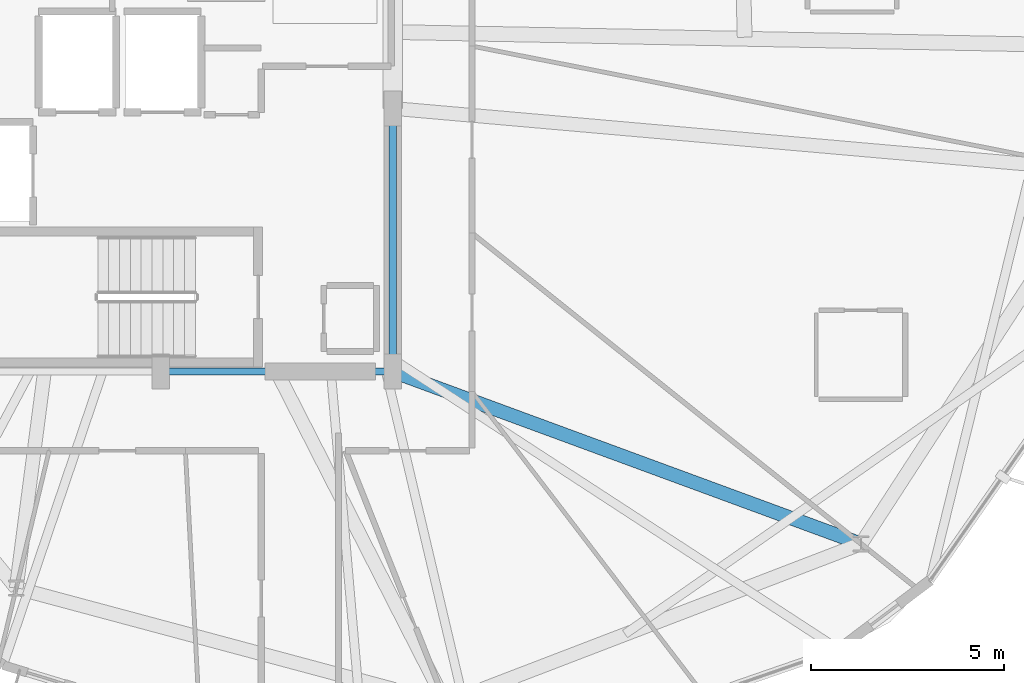
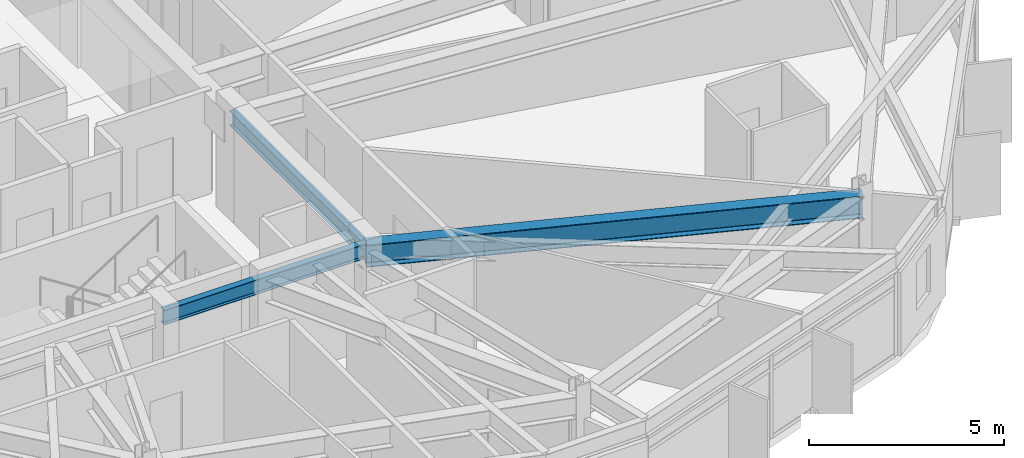
# One storey, part 9 of 34: 3 beams.
"""IFC4 building model written with IfcOpenShell, lengths in metres."""

from ifc_helpers import new_model, si_unit, direction, frame, origin, origin_2d, place, context, subcontext, project, spatial, i_section, extrude, material, material_profile, profile_set, type_object, element, save


model = new_model("IFC4")

# Units and contexts
model_context = context("Model", 3, precision=1e-05, world=origin(), true_north=direction((0.0, 1.0)))
body_context = subcontext(model_context, "Body", "Model", "MODEL_VIEW")
ifc_project = project(units=[si_unit("LENGTHUNIT", "METRE"), si_unit("AREAUNIT", "SQUARE_METRE"), si_unit("VOLUMEUNIT", "CUBIC_METRE"), si_unit("PLANEANGLEUNIT", "RADIAN"), si_unit("MASSUNIT", "GRAM", prefix="KILO")], contexts=[model_context])

# Site, building, storey
site_placement = place(None, origin())
site = spatial("IfcSite", under=ifc_project, at=site_placement, CompositionType="ELEMENT")
building_placement = place(site_placement, origin())
building = spatial("IfcBuilding", under=site, at=building_placement, Name="Soratama Intermodal Tower", CompositionType="ELEMENT")
storey_placement = place(building_placement, frame((0.0, 0.0, 233.800048828125)))
storey = spatial("IfcBuildingStorey", under=building, at=storey_placement, Name="L59", CompositionType="ELEMENT", Elevation=233.800048828125)

# Beams
ifc_material_1 = material(Name="Structural steel ASTM A992 Grade 50", Category="steel")
ifc_material_profile_1 = material_profile(ifc_material_1, i_section(OverallWidth=0.19091796875, OverallDepth=0.4599609375, WebThickness=0.010009765625, FlangeThickness=0.01611328125, FilletRadius=0.010986328125, at=origin_2d()), Name="W18X55")
ifc_profile_set_1 = profile_set([ifc_material_profile_1], Name="Structural steel ASTM A992 Grade 50")
beam_type_1 = type_object("IfcBeamType", Name="BM-FLR-W18X55", PredefinedType="BEAM", material=ifc_profile_set_1)
beam_1_placement = place(storey_placement, frame((38.60009765625, 15.0, 2.989990234375), z_axis=(1.0, 0.0, 0.0), x_axis=(0.0, 1.0, 0.0)))
element("IfcBeam", 1, at=beam_1_placement, inside=storey, type_object=beam_type_1, Name="BM-L59-CRING-02", PredefinedType="BEAM", context=body_context, shape_type="SweptSolid", body=[
    extrude(i_section(OverallWidth=0.19091796875, OverallDepth=0.4599609375, WebThickness=0.010009765625, FlangeThickness=0.01611328125, FilletRadius=0.010986328125, at=origin_2d()), origin(), (0.0, 0.0, 1.0), 6.0),
])
beam_2_placement = place(storey_placement, frame((44.60009765625, 15.0, 2.989990234375), z_axis=(0.0, 1.0, 0.0), x_axis=(-1.0, 0.0, 0.0)))
element("IfcBeam", 2, at=beam_2_placement, inside=storey, type_object=beam_type_1, Name="BM-L59-CRING-03", PredefinedType="BEAM", context=body_context, shape_type="SweptSolid", body=[
    extrude(i_section(OverallWidth=0.19091796875, OverallDepth=0.4599609375, WebThickness=0.010009765625, FlangeThickness=0.01611328125, FilletRadius=0.010986328125, at=origin_2d()), origin(), (0.0, 0.0, 1.0), 6.800048828125),
])
ifc_material_2 = material(Name="Structural steel ASTM A992 Grade 50", Category="steel")
ifc_material_profile_2 = material_profile(ifc_material_2, i_section(OverallWidth=0.35498046875, OverallDepth=0.695068359375, WebThickness=0.015380859375, FlangeThickness=0.02490234375, FilletRadius=0.01611328125, at=origin_2d()), Name="W27X146")
ifc_profile_set_2 = profile_set([ifc_material_profile_2], Name="Structural steel ASTM A992 Grade 50")
beam_type_2 = type_object("IfcBeamType", Name="BM-RING-W27X146", PredefinedType="BEAM", material=ifc_profile_set_2)
beam_3_placement = place(storey_placement, frame((44.60009765625, 15.0, 2.87255859375), z_axis=(0.938460043872, -0.345387819785, 0.0), x_axis=(0.345387819785, 0.938460043872, 0.0)))
element("IfcBeam", 3, at=beam_3_placement, inside=storey, type_object=beam_type_2, Name="BM-L59-RAD-09", PredefinedType="BEAM", context=body_context, shape_type="SweptSolid", body=[
    extrude(i_section(OverallWidth=0.35498046875, OverallDepth=0.695068359375, WebThickness=0.015380859375, FlangeThickness=0.02490234375, FilletRadius=0.01611328125, at=origin_2d()), origin(), (0.0, 0.0, 1.0), 12.898681640625),
])

save(model, "model.ifc")
